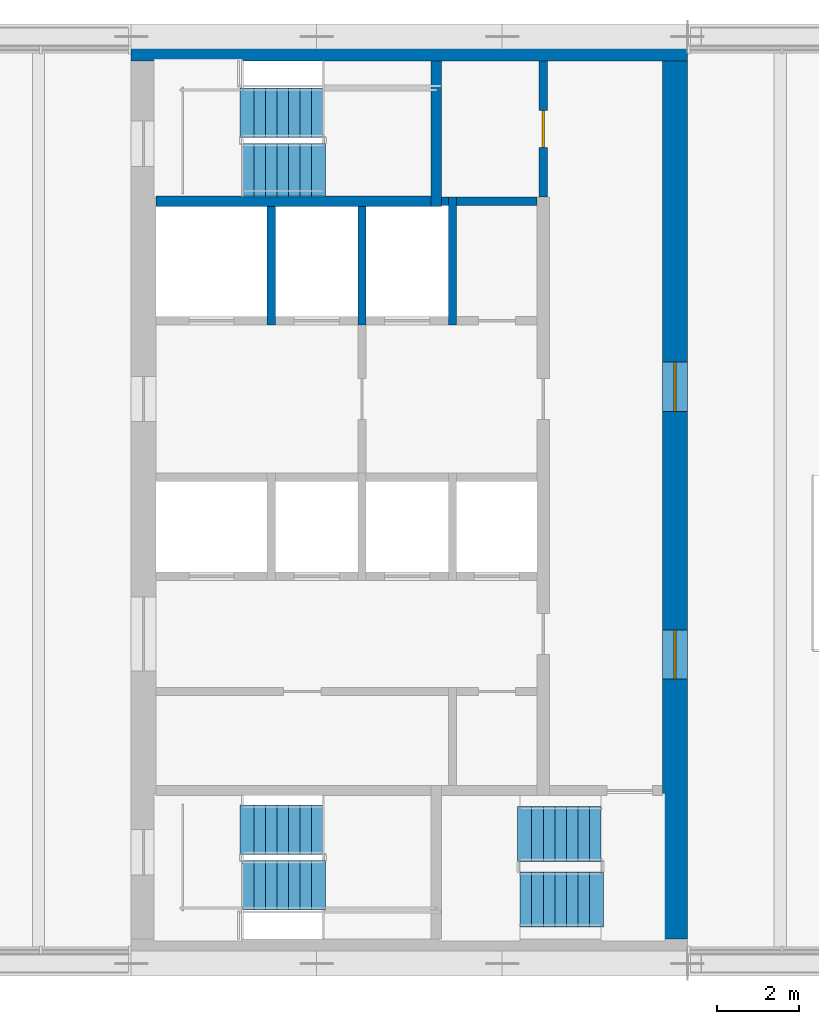
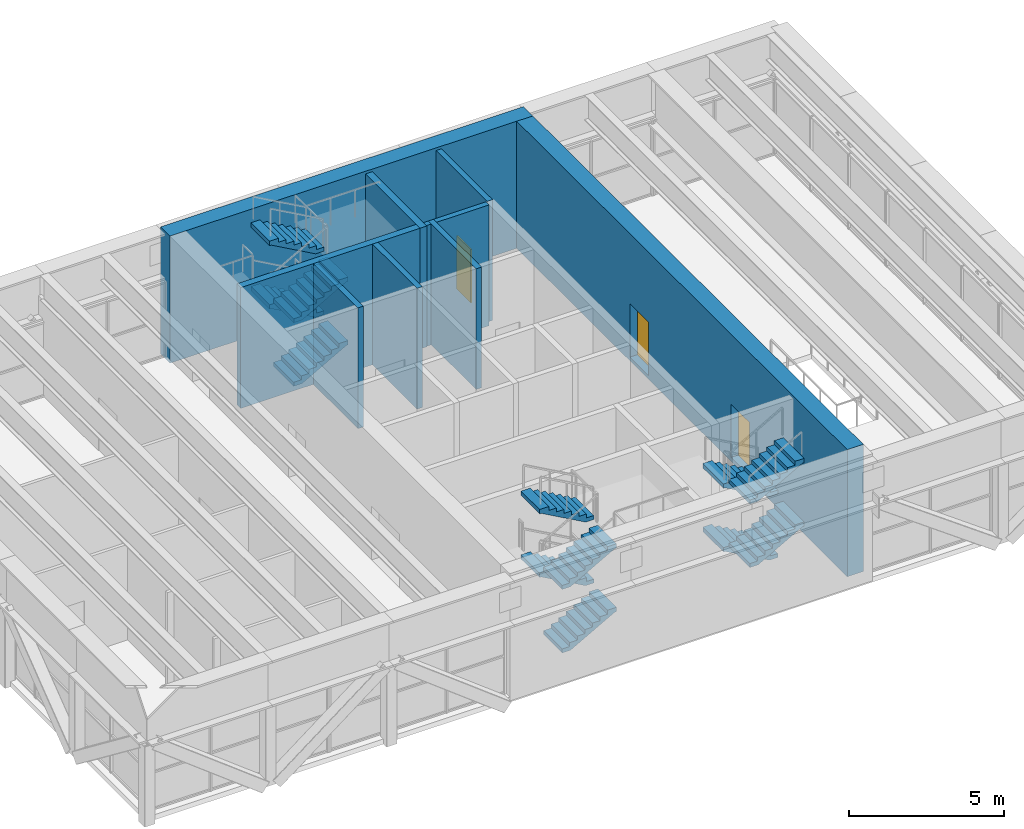
# One storey, part 10 of 12: 12 stair flights, 10 walls, 3 doors, 3 openings, 3 elements without a shape of their own.
"""IFC4 building model written with IfcOpenShell, lengths in metres."""

from ifc_helpers import new_model, si_unit, direction, frame, frame_2d, origin, place, context, subcontext, project, spatial, polyline, rectangle, outline, extrude, material, layer, layer_set, type_object, element, fill, aggregate, save


model = new_model("IFC4")

# Units and contexts
model_context = context("Model", 3, precision=1e-05, world=origin(), true_north=direction((0.0, 1.0)))
body_context = subcontext(model_context, "Body", "Model", "MODEL_VIEW")
ifc_project = project(units=[si_unit("LENGTHUNIT", "METRE"), si_unit("AREAUNIT", "SQUARE_METRE"), si_unit("VOLUMEUNIT", "CUBIC_METRE"), si_unit("PLANEANGLEUNIT", "RADIAN"), si_unit("MASSUNIT", "GRAM", prefix="KILO")], contexts=[model_context])

# Site, building, storey
site_placement = place(None, origin())
site = spatial("IfcSite", under=ifc_project, at=site_placement, CompositionType="ELEMENT")
building_placement = place(site_placement, origin())
building = spatial("IfcBuilding", under=site, at=building_placement, Name="Sennacour Bend Tower", CompositionType="ELEMENT")
storey_placement = place(building_placement, frame((0.0, 0.0, 350.5)))
storey = spatial("IfcBuildingStorey", under=building, at=storey_placement, Name="L80", CompositionType="ELEMENT", Elevation=350.5)

# Wall
ifc_material_1 = material(Name="Concrete C50/60", Category="concrete")
ifc_layer_1 = layer(ifc_material_1, 0.60009765625, Name="Concrete C50/60", Category="concrete")
ifc_layer_set_1 = layer_set([ifc_layer_1], Name="Concrete C50/60")
wall_type_1 = type_object("IfcWallType", Name="Core wall 600 C50/60", PredefinedType="SHEAR", material=ifc_layer_set_1)
wall_1_placement = place(storey_placement, frame((54.0, 22.199951171875, -0.14990234375), z_axis=(0.0, 0.0, 1.0), x_axis=(1.0, 0.0, 0.0)))
element("IfcWall", 1, at=wall_1_placement, inside=storey, type_object=wall_type_1, Name="Core A wall L80 N", PredefinedType="SHEAR", context=body_context, shape_type="SweptSolid", body=[
    extrude(rectangle(XDim=13.5, YDim=0.60009765625, at=frame_2d((6.75, 0.0))), origin(), (0.0, 0.0, 1.0), 5.0),
])

# Wall, openings, doors
wall_2_placement = place(storey_placement, frame((67.199951171875, 0.60009765625, -0.14990234375), z_axis=(0.0, 0.0, 1.0), x_axis=(0.0, 1.0, 0.0)))
wall_2 = element("IfcWall", 2, at=wall_2_placement, inside=storey, type_object=wall_type_1, Name="Core A wall L80 E", PredefinedType="SHEAR", context=body_context, shape_type="SweptSolid", body=[
    extrude(rectangle(XDim=21.2998046875, YDim=0.60009765625, at=frame_2d((10.64990234375, 0.0))), origin(), (0.0, 0.0, 1.0), 5.0),
])
opening_1_placement = place(wall_2_placement, frame((6.300048828125, 0.0, 0.14990234375)))
opening_1 = element("IfcOpeningElement", 3, at=opening_1_placement, cuts=wall_2, Name="Opening ED", PredefinedType="OPENING", context=body_context, shape_type="SweptSolid", body=[
    extrude(rectangle(XDim=1.199951171875, YDim=2.10009765625, at=frame_2d((0.60009765625, 1.050048828125))), frame((0.0, 0.31005859375, 0.0), z_axis=(0.0, -1.0, 0.0), x_axis=(1.0, 0.0, 0.0)), (0.0, 0.0, 1.0), 0.6201171875),
])
opening_2_placement = place(wall_2_placement, frame((12.800048828125, 0.0, 0.14990234375)))
opening_2 = element("IfcOpeningElement", 4, at=opening_2_placement, cuts=wall_2, Name="Opening ED", PredefinedType="OPENING", context=body_context, shape_type="SweptSolid", body=[
    extrude(rectangle(XDim=1.199951171875, YDim=2.10009765625, at=frame_2d((0.60009765625, 1.050048828125))), frame((0.0, 0.31005859375, 0.0), z_axis=(0.0, -1.0, 0.0), x_axis=(1.0, 0.0, 0.0)), (0.0, 0.0, 1.0), 0.6201171875),
])
ifc_material_2 = material(Name="Painted steel", Category="steel")
door_type_1 = type_object("IfcDoorType", Name="DR-EAST-1200", OperationType="NOTDEFINED", PredefinedType="DOOR", material=ifc_material_2)
door_1_placement = place(opening_1_placement, origin())
door_1 = element("IfcDoor", 5, at=door_1_placement, inside=storey, type_object=door_type_1, Name="Door", OperationType="SINGLE_SWING_LEFT", OverallHeight=2.10009765625, OverallWidth=1.199951171875, PredefinedType="DOOR", context=body_context, shape_type="SweptSolid", body=[
    extrude(rectangle(XDim=1.199951171875, YDim=2.10009765625, at=frame_2d((0.60009765625, 1.050048828125))), frame((0.0, 0.02490234375, 0.0), z_axis=(0.0, -1.0, 0.0), x_axis=(1.0, 0.0, 0.0)), (0.0, 0.0, 1.0), 0.050048828125),
])
fill(opening_1, door_1)
door_2_placement = place(opening_2_placement, origin())
door_2 = element("IfcDoor", 6, at=door_2_placement, inside=storey, type_object=door_type_1, Name="Door", OperationType="SINGLE_SWING_RIGHT", OverallHeight=2.10009765625, OverallWidth=1.199951171875, PredefinedType="DOOR", context=body_context, shape_type="SweptSolid", body=[
    extrude(rectangle(XDim=1.199951171875, YDim=2.10009765625, at=frame_2d((0.60009765625, 1.050048828125))), frame((0.0, 0.02490234375, 0.0), z_axis=(0.0, -1.0, 0.0), x_axis=(1.0, 0.0, 0.0)), (0.0, 0.0, 1.0), 0.050048828125),
])
fill(opening_2, door_2)

# Wall, opening, door
ifc_material_3 = material(Name="Fire-rated plasterboard partition on steel studs", Category="steel")
ifc_layer_2 = layer(ifc_material_3, 0.199951171875, Name="Fire-rated plasterboard partition on steel studs", Category="steel")
ifc_layer_set_2 = layer_set([ifc_layer_2], Name="Fire-rated plasterboard partition on steel studs")
wall_type_2 = type_object("IfcWallType", Name="Rated partition 200", PredefinedType="PARTITIONING", material=ifc_layer_set_2)
wall_3_placement = place(storey_placement, frame((64.0, 18.60009765625, 0.0), z_axis=(0.0, 0.0, 1.0), x_axis=(0.0, 1.0, 0.0)))
wall_3 = element("IfcWall", 7, at=wall_3_placement, inside=storey, type_object=wall_type_2, Name="P-L80-W015", PredefinedType="PARTITIONING", context=body_context, shape_type="SweptSolid", body=[
    extrude(rectangle(XDim=3.2998046875, YDim=0.199951171875, at=frame_2d((1.64990234375, 0.0))), origin(), (0.0, 0.0, 1.0), 4.75),
])
opening_3_placement = place(wall_3_placement, frame((1.199951171875, 0.0, 0.0)))
opening_3 = element("IfcOpeningElement", 8, at=opening_3_placement, cuts=wall_3, Name="Opening SV", PredefinedType="OPENING", context=body_context, shape_type="SweptSolid", body=[
    extrude(rectangle(XDim=0.89990234375, YDim=2.10009765625, at=frame_2d((0.449951171875, 1.050048828125))), frame((0.0, 0.10986328125, 0.0), z_axis=(0.0, -1.0, 0.0), x_axis=(1.0, 0.0, 0.0)), (0.0, 0.0, 1.0), 0.219970703125),
])
door_type_2 = type_object("IfcDoorType", Name="DR-SERVICE-900", OperationType="NOTDEFINED", PredefinedType="DOOR", material=ifc_material_2)
door_3_placement = place(opening_3_placement, origin())
door_3 = element("IfcDoor", 9, at=door_3_placement, inside=storey, type_object=door_type_2, Name="Door", OperationType="SINGLE_SWING_LEFT", OverallHeight=2.10009765625, OverallWidth=0.89990234375, PredefinedType="DOOR", context=body_context, shape_type="SweptSolid", body=[
    extrude(rectangle(XDim=0.89990234375, YDim=2.10009765625, at=frame_2d((0.449951171875, 1.050048828125))), frame((0.0, 0.02490234375, 0.0), z_axis=(0.0, -1.0, 0.0), x_axis=(1.0, 0.0, 0.0)), (0.0, 0.0, 1.0), 0.050048828125),
])
fill(opening_3, door_3)

# Walls
wall_4_placement = place(storey_placement, frame((61.89990234375, 18.5, 0.0), z_axis=(0.0, 0.0, 1.0), x_axis=(1.0, 0.0, 0.0)))
element("IfcWall", 10, at=wall_4_placement, inside=storey, type_object=wall_type_2, Name="P-L80-W031", PredefinedType="PARTITIONING", context=body_context, shape_type="SweptSolid", body=[
    extrude(rectangle(XDim=1.9501953125, YDim=0.199951171875, at=frame_2d((0.97509765625, 0.0))), origin(), (0.0, 0.0, 1.0), 4.75),
])
ifc_layer_3 = layer(ifc_material_1, 0.199951171875, Name="Concrete C50/60", Category="concrete")
ifc_layer_set_3 = layer_set([ifc_layer_3], Name="Concrete C50/60")
wall_type_3 = type_object("IfcWallType", Name="Shaft wall 200", PredefinedType="SOLIDWALL", material=ifc_layer_set_3)
for number, where, z_axis, x_axis, name in (
    (11, (57.39990234375, 15.5, 0.0), (0.0, 0.0, 1.0), (0.0, 1.0, 0.0), "P-L80-W005"),
    (12, (59.60009765625, 15.5, 0.0), (0.0, 0.0, 1.0), (0.0, 1.0, 0.0), "P-L80-W008"),
):
    element("IfcWall", number, at=place(storey_placement, frame(where, z_axis=z_axis, x_axis=x_axis)), inside=storey, type_object=wall_type_3, Name=name, PredefinedType="SOLIDWALL", context=body_context, shape_type="SweptSolid", body=[
        extrude(rectangle(XDim=2.875, YDim=0.199951171875, at=frame_2d((1.4375, 0.0))), origin(), (0.0, 0.0, 1.0), 4.75),
    ])
wall_5_placement = place(storey_placement, frame((61.800048828125, 15.5, 0.0), z_axis=(0.0, 0.0, 1.0), x_axis=(0.0, 1.0, 0.0)))
element("IfcWall", 13, at=wall_5_placement, inside=storey, type_object=wall_type_3, Name="P-L80-W013", PredefinedType="SOLIDWALL", context=body_context, shape_type="SweptSolid", body=[
    extrude(rectangle(XDim=3.10009765625, YDim=0.199951171875, at=frame_2d((1.550048828125, 0.0))), origin(), (0.0, 0.0, 1.0), 4.75),
])
wall_6_placement = place(storey_placement, frame((61.52490234375, 18.5, 0.0), z_axis=(0.0, 0.0, 1.0), x_axis=(1.0, 0.0, 0.0)))
element("IfcWall", 14, at=wall_6_placement, inside=storey, type_object=wall_type_3, Name="P-L80-W030", PredefinedType="SOLIDWALL", context=body_context, shape_type="SweptSolid", body=[
    extrude(rectangle(XDim=0.175048828125, YDim=0.199951171875, at=frame_2d((0.08740234375, 0.0))), origin(), (0.0, 0.0, 1.0), 4.75),
])
ifc_material_4 = material(Name="Concrete C60/75", Category="concrete")
ifc_layer_4 = layer(ifc_material_4, 0.25, Name="Concrete C60/75", Category="concrete")
ifc_layer_set_4 = layer_set([ifc_layer_4], Name="Concrete C60/75")
wall_type_4 = type_object("IfcWallType", Name="Stair wall 250", PredefinedType="SHEAR", material=ifc_layer_set_4)
wall_7_placement = place(storey_placement, frame((61.39990234375, 18.375, 0.0), z_axis=(0.0, 0.0, 1.0), x_axis=(0.0, 1.0, 0.0)))
element("IfcWall", 15, at=wall_7_placement, inside=storey, type_object=wall_type_4, Name="P-L80-W010", PredefinedType="SHEAR", context=body_context, shape_type="SweptSolid", body=[
    extrude(rectangle(XDim=3.52490234375, YDim=0.25, at=frame_2d((1.762451171875, 0.0))), origin(), (0.0, 0.0, 1.0), 4.75),
])
wall_8_placement = place(storey_placement, frame((54.60009765625, 18.5, 0.0), z_axis=(0.0, 0.0, 1.0), x_axis=(1.0, 0.0, 0.0)))
element("IfcWall", 16, at=wall_8_placement, inside=storey, type_object=wall_type_4, Name="P-L80-W029", PredefinedType="SHEAR", context=body_context, shape_type="SweptSolid", body=[
    extrude(rectangle(XDim=6.6748046875, YDim=0.25, at=frame_2d((3.33740234375, 0.0))), origin(), (0.0, 0.0, 1.0), 4.75),
])

# Stair, stair flights
ifc_material_5 = material(Name="Concrete C40/50", Category="concrete")
stair_type = type_object("IfcStairType", Name="ST-DOGLEG", PredefinedType="HALF_TURN_STAIR", material=ifc_material_5)
stair_1_placement = place(storey_placement, origin())
stair_1 = element("IfcStair", 17, at=stair_1_placement, inside=storey, type_object=stair_type, Name="L80 Exit stair A1", PredefinedType="HALF_TURN_STAIR")
stair_flight_type = type_object("IfcStairFlightType", Name="SFL-RC", PredefinedType="STRAIGHT", material=ifc_material_5)
stair_flight_1_placement = place(storey_placement, frame((56.699951171875, 1.89990234375, 0.0), z_axis=(0.0, 0.0, 1.0), x_axis=(1.0, 0.0, 0.0)))
stair_flight_1 = element("IfcStairFlight", 18, at=stair_flight_1_placement, type_object=stair_flight_type, Name="SA1 flight 1", NumberOfRisers=8, NumberOfTreads=7, PredefinedType="STRAIGHT", RiserHeight=0.15625, TreadLength=0.28, context=body_context, shape_type="SweptSolid", body=[
    extrude(outline(polyline([(0.0, 0.0), (0.0, 0.15625), (0.280029296875, 0.15625), (0.280029296875, 0.3125), (0.56005859375, 0.3125), (0.56005859375, 0.46875), (0.840087890625, 0.46875), (0.840087890625, 0.625), (1.1201171875, 0.625), (1.1201171875, 0.78125), (1.39990234375, 0.78125), (1.39990234375, 0.9375), (1.679931640625, 0.9375), (1.679931640625, 1.09375), (1.9599609375, 1.09375), (2.02001953125, 1.09375), (2.02001953125, 0.922119140625), (1.9599609375, 0.922119140625), (0.3076171875, 0.0), (0.0, 0.0)])), frame((0.0, 0.60009765625, 0.0), z_axis=(0.0, -1.0, 0.0), x_axis=(1.0, 0.0, 0.0)), (0.0, 0.0, 1.0), 1.199951171875),
])
stair_flight_2_placement = place(storey_placement, frame((58.659912109375, 3.25, 1.25), z_axis=(0.0, 0.0, 1.0), x_axis=(-1.0, 0.0, 0.0)))
stair_flight_2 = element("IfcStairFlight", 19, at=stair_flight_2_placement, type_object=stair_flight_type, Name="SA1 flight 2", NumberOfRisers=8, NumberOfTreads=7, PredefinedType="STRAIGHT", RiserHeight=0.15625, TreadLength=0.28, context=body_context, shape_type="SweptSolid", body=[
    extrude(outline(polyline([(0.0, 0.0), (0.0, 0.15625), (0.280029296875, 0.15625), (0.280029296875, 0.3125), (0.56005859375, 0.3125), (0.56005859375, 0.46875), (0.840087890625, 0.46875), (0.840087890625, 0.625), (1.1201171875, 0.625), (1.1201171875, 0.78125), (1.39990234375, 0.78125), (1.39990234375, 0.9375), (1.679931640625, 0.9375), (1.679931640625, 1.09375), (1.9599609375, 1.09375), (2.02001953125, 1.09375), (2.02001953125, 0.922119140625), (1.9599609375, 0.922119140625), (0.3076171875, 0.0), (0.0, 0.0)])), frame((0.0, 0.60009765625, 0.0), z_axis=(0.0, -1.0, 0.0), x_axis=(1.0, 0.0, 0.0)), (0.0, 0.0, 1.0), 1.199951171875),
])
stair_flight_3_placement = place(storey_placement, frame((56.699951171875, 1.89990234375, 2.5), z_axis=(0.0, 0.0, 1.0), x_axis=(1.0, 0.0, 0.0)))
stair_flight_3 = element("IfcStairFlight", 20, at=stair_flight_3_placement, type_object=stair_flight_type, Name="SA1 flight 3", NumberOfRisers=8, NumberOfTreads=7, PredefinedType="STRAIGHT", RiserHeight=0.15625, TreadLength=0.28, context=body_context, shape_type="SweptSolid", body=[
    extrude(outline(polyline([(0.0, 0.0), (0.0, 0.15625), (0.280029296875, 0.15625), (0.280029296875, 0.3125), (0.56005859375, 0.3125), (0.56005859375, 0.46875), (0.840087890625, 0.46875), (0.840087890625, 0.625), (1.1201171875, 0.625), (1.1201171875, 0.78125), (1.39990234375, 0.78125), (1.39990234375, 0.9375), (1.679931640625, 0.9375), (1.679931640625, 1.09375), (1.9599609375, 1.09375), (2.02001953125, 1.09375), (2.02001953125, 0.922119140625), (1.9599609375, 0.922119140625), (0.3076171875, 0.0), (0.0, 0.0)])), frame((0.0, 0.60009765625, 0.0), z_axis=(0.0, -1.0, 0.0), x_axis=(1.0, 0.0, 0.0)), (0.0, 0.0, 1.0), 1.199951171875),
])
stair_flight_4_placement = place(storey_placement, frame((58.659912109375, 3.25, 3.75), z_axis=(0.0, 0.0, 1.0), x_axis=(-1.0, 0.0, 0.0)))
stair_flight_4 = element("IfcStairFlight", 21, at=stair_flight_4_placement, type_object=stair_flight_type, Name="SA1 flight 4", NumberOfRisers=8, NumberOfTreads=7, PredefinedType="STRAIGHT", RiserHeight=0.15625, TreadLength=0.28, context=body_context, shape_type="SweptSolid", body=[
    extrude(outline(polyline([(0.0, 0.0), (0.0, 0.15625), (0.280029296875, 0.15625), (0.280029296875, 0.3125), (0.56005859375, 0.3125), (0.56005859375, 0.46875), (0.840087890625, 0.46875), (0.840087890625, 0.625), (1.1201171875, 0.625), (1.1201171875, 0.78125), (1.39990234375, 0.78125), (1.39990234375, 0.9375), (1.679931640625, 0.9375), (1.679931640625, 1.09375), (1.9599609375, 1.09375), (2.02001953125, 1.09375), (2.02001953125, 0.922119140625), (1.9599609375, 0.922119140625), (0.3076171875, 0.0), (0.0, 0.0)])), frame((0.0, 0.60009765625, 0.0), z_axis=(0.0, -1.0, 0.0), x_axis=(1.0, 0.0, 0.0)), (0.0, 0.0, 1.0), 1.199951171875),
])
aggregate(stair_1, [stair_flight_1, stair_flight_2, stair_flight_3, stair_flight_4])

stair_2_placement = place(storey_placement, origin())
stair_2 = element("IfcStair", 22, at=stair_2_placement, inside=storey, type_object=stair_type, Name="L80 Exit stair A2", PredefinedType="HALF_TURN_STAIR")
stair_flight_5_placement = place(storey_placement, frame((56.699951171875, 19.24755859375, 0.0), z_axis=(0.0, 0.0, 1.0), x_axis=(1.0, 0.0, 0.0)))
stair_flight_5 = element("IfcStairFlight", 23, at=stair_flight_5_placement, type_object=stair_flight_type, Name="SA2 flight 1", NumberOfRisers=8, NumberOfTreads=7, PredefinedType="STRAIGHT", RiserHeight=0.15625, TreadLength=0.28, context=body_context, shape_type="SweptSolid", body=[
    extrude(outline(polyline([(0.0, 0.0), (0.0, 0.15625), (0.280029296875, 0.15625), (0.280029296875, 0.3125), (0.56005859375, 0.3125), (0.56005859375, 0.46875), (0.840087890625, 0.46875), (0.840087890625, 0.625), (1.1201171875, 0.625), (1.1201171875, 0.78125), (1.39990234375, 0.78125), (1.39990234375, 0.9375), (1.679931640625, 0.9375), (1.679931640625, 1.09375), (1.9599609375, 1.09375), (2.02001953125, 1.09375), (2.02001953125, 0.922119140625), (1.9599609375, 0.922119140625), (0.3076171875, 0.0), (0.0, 0.0)])), frame((0.0, 0.65234375, 0.0), z_axis=(0.0, -1.0, 0.0), x_axis=(1.0, 0.0, 0.0)), (0.0, 0.0, 1.0), 1.304931640625),
])
stair_flight_6_placement = place(storey_placement, frame((58.659912109375, 20.64990234375, 1.25), z_axis=(0.0, 0.0, 1.0), x_axis=(-1.0, 0.0, 0.0)))
stair_flight_6 = element("IfcStairFlight", 24, at=stair_flight_6_placement, type_object=stair_flight_type, Name="SA2 flight 2", NumberOfRisers=8, NumberOfTreads=7, PredefinedType="STRAIGHT", RiserHeight=0.15625, TreadLength=0.28, context=body_context, shape_type="SweptSolid", body=[
    extrude(outline(polyline([(0.0, 0.0), (0.0, 0.15625), (0.280029296875, 0.15625), (0.280029296875, 0.3125), (0.56005859375, 0.3125), (0.56005859375, 0.46875), (0.840087890625, 0.46875), (0.840087890625, 0.625), (1.1201171875, 0.625), (1.1201171875, 0.78125), (1.39990234375, 0.78125), (1.39990234375, 0.9375), (1.679931640625, 0.9375), (1.679931640625, 1.09375), (1.9599609375, 1.09375), (2.02001953125, 1.09375), (2.02001953125, 0.922119140625), (1.9599609375, 0.922119140625), (0.3076171875, 0.0), (0.0, 0.0)])), frame((0.0, 0.60009765625, 0.0), z_axis=(0.0, -1.0, 0.0), x_axis=(1.0, 0.0, 0.0)), (0.0, 0.0, 1.0), 1.199951171875),
])
stair_flight_7_placement = place(storey_placement, frame((56.699951171875, 19.24755859375, 2.5), z_axis=(0.0, 0.0, 1.0), x_axis=(1.0, 0.0, 0.0)))
stair_flight_7 = element("IfcStairFlight", 25, at=stair_flight_7_placement, type_object=stair_flight_type, Name="SA2 flight 3", NumberOfRisers=8, NumberOfTreads=7, PredefinedType="STRAIGHT", RiserHeight=0.15625, TreadLength=0.28, context=body_context, shape_type="SweptSolid", body=[
    extrude(outline(polyline([(0.0, 0.0), (0.0, 0.15625), (0.280029296875, 0.15625), (0.280029296875, 0.3125), (0.56005859375, 0.3125), (0.56005859375, 0.46875), (0.840087890625, 0.46875), (0.840087890625, 0.625), (1.1201171875, 0.625), (1.1201171875, 0.78125), (1.39990234375, 0.78125), (1.39990234375, 0.9375), (1.679931640625, 0.9375), (1.679931640625, 1.09375), (1.9599609375, 1.09375), (2.02001953125, 1.09375), (2.02001953125, 0.922119140625), (1.9599609375, 0.922119140625), (0.3076171875, 0.0), (0.0, 0.0)])), frame((0.0, 0.65234375, 0.0), z_axis=(0.0, -1.0, 0.0), x_axis=(1.0, 0.0, 0.0)), (0.0, 0.0, 1.0), 1.304931640625),
])
stair_flight_8_placement = place(storey_placement, frame((58.659912109375, 20.64990234375, 3.75), z_axis=(0.0, 0.0, 1.0), x_axis=(-1.0, 0.0, 0.0)))
stair_flight_8 = element("IfcStairFlight", 26, at=stair_flight_8_placement, type_object=stair_flight_type, Name="SA2 flight 4", NumberOfRisers=8, NumberOfTreads=7, PredefinedType="STRAIGHT", RiserHeight=0.15625, TreadLength=0.28, context=body_context, shape_type="SweptSolid", body=[
    extrude(outline(polyline([(0.0, 0.0), (0.0, 0.15625), (0.280029296875, 0.15625), (0.280029296875, 0.3125), (0.56005859375, 0.3125), (0.56005859375, 0.46875), (0.840087890625, 0.46875), (0.840087890625, 0.625), (1.1201171875, 0.625), (1.1201171875, 0.78125), (1.39990234375, 0.78125), (1.39990234375, 0.9375), (1.679931640625, 0.9375), (1.679931640625, 1.09375), (1.9599609375, 1.09375), (2.02001953125, 1.09375), (2.02001953125, 0.922119140625), (1.9599609375, 0.922119140625), (0.3076171875, 0.0), (0.0, 0.0)])), frame((0.0, 0.60009765625, 0.0), z_axis=(0.0, -1.0, 0.0), x_axis=(1.0, 0.0, 0.0)), (0.0, 0.0, 1.0), 1.199951171875),
])
aggregate(stair_2, [stair_flight_5, stair_flight_6, stair_flight_7, stair_flight_8])

stair_3_placement = place(storey_placement, origin())
stair_3 = element("IfcStair", 27, at=stair_3_placement, inside=storey, type_object=stair_type, Name="L80 Exit stair A3", PredefinedType="HALF_TURN_STAIR")
stair_flight_9_placement = place(storey_placement, frame((65.39990234375, 3.14501953125, 0.0), z_axis=(0.0, 0.0, 1.0), x_axis=(-1.0, 0.0, 0.0)))
stair_flight_9 = element("IfcStairFlight", 28, at=stair_flight_9_placement, type_object=stair_flight_type, Name="SA3 flight 1", NumberOfRisers=8, NumberOfTreads=7, PredefinedType="STRAIGHT", RiserHeight=0.15625, TreadLength=0.28, context=body_context, shape_type="SweptSolid", body=[
    extrude(outline(polyline([(0.0, 0.0), (0.0, 0.15625), (0.280029296875, 0.15625), (0.280029296875, 0.3125), (0.56005859375, 0.3125), (0.56005859375, 0.46875), (0.840087890625, 0.46875), (0.840087890625, 0.625), (1.1201171875, 0.625), (1.1201171875, 0.78125), (1.39990234375, 0.78125), (1.39990234375, 0.9375), (1.679931640625, 0.9375), (1.679931640625, 1.09375), (1.9599609375, 1.09375), (2.02001953125, 1.09375), (2.02001953125, 0.922119140625), (1.9599609375, 0.922119140625), (0.3076171875, 0.0), (0.0, 0.0)])), frame((0.0, 0.669921875, 0.0), z_axis=(0.0, -1.0, 0.0), x_axis=(1.0, 0.0, 0.0)), (0.0, 0.0, 1.0), 1.340087890625),
])
stair_flight_10_placement = place(storey_placement, frame((63.43994140625, 1.554931640625, 1.25), z_axis=(0.0, 0.0, 1.0), x_axis=(1.0, 0.0, 0.0)))
stair_flight_10 = element("IfcStairFlight", 29, at=stair_flight_10_placement, type_object=stair_flight_type, Name="SA3 flight 2", NumberOfRisers=8, NumberOfTreads=7, PredefinedType="STRAIGHT", RiserHeight=0.15625, TreadLength=0.28, context=body_context, shape_type="SweptSolid", body=[
    extrude(outline(polyline([(0.0, 0.0), (0.0, 0.15625), (0.280029296875, 0.15625), (0.280029296875, 0.3125), (0.56005859375, 0.3125), (0.56005859375, 0.46875), (0.840087890625, 0.46875), (0.840087890625, 0.625), (1.1201171875, 0.625), (1.1201171875, 0.78125), (1.39990234375, 0.78125), (1.39990234375, 0.9375), (1.679931640625, 0.9375), (1.679931640625, 1.09375), (1.9599609375, 1.09375), (2.02001953125, 1.09375), (2.02001953125, 0.922119140625), (1.9599609375, 0.922119140625), (0.3076171875, 0.0), (0.0, 0.0)])), frame((0.0, 0.669921875, 0.0), z_axis=(0.0, -1.0, 0.0), x_axis=(1.0, 0.0, 0.0)), (0.0, 0.0, 1.0), 1.340087890625),
])
stair_flight_11_placement = place(storey_placement, frame((65.39990234375, 3.14501953125, 2.5), z_axis=(0.0, 0.0, 1.0), x_axis=(-1.0, 0.0, 0.0)))
stair_flight_11 = element("IfcStairFlight", 30, at=stair_flight_11_placement, type_object=stair_flight_type, Name="SA3 flight 3", NumberOfRisers=8, NumberOfTreads=7, PredefinedType="STRAIGHT", RiserHeight=0.15625, TreadLength=0.28, context=body_context, shape_type="SweptSolid", body=[
    extrude(outline(polyline([(0.0, 0.0), (0.0, 0.15625), (0.280029296875, 0.15625), (0.280029296875, 0.3125), (0.56005859375, 0.3125), (0.56005859375, 0.46875), (0.840087890625, 0.46875), (0.840087890625, 0.625), (1.1201171875, 0.625), (1.1201171875, 0.78125), (1.39990234375, 0.78125), (1.39990234375, 0.9375), (1.679931640625, 0.9375), (1.679931640625, 1.09375), (1.9599609375, 1.09375), (2.02001953125, 1.09375), (2.02001953125, 0.922119140625), (1.9599609375, 0.922119140625), (0.3076171875, 0.0), (0.0, 0.0)])), frame((0.0, 0.669921875, 0.0), z_axis=(0.0, -1.0, 0.0), x_axis=(1.0, 0.0, 0.0)), (0.0, 0.0, 1.0), 1.340087890625),
])
stair_flight_12_placement = place(storey_placement, frame((63.43994140625, 1.554931640625, 3.75), z_axis=(0.0, 0.0, 1.0), x_axis=(1.0, 0.0, 0.0)))
stair_flight_12 = element("IfcStairFlight", 31, at=stair_flight_12_placement, type_object=stair_flight_type, Name="SA3 flight 4", NumberOfRisers=8, NumberOfTreads=7, PredefinedType="STRAIGHT", RiserHeight=0.15625, TreadLength=0.28, context=body_context, shape_type="SweptSolid", body=[
    extrude(outline(polyline([(0.0, 0.0), (0.0, 0.15625), (0.280029296875, 0.15625), (0.280029296875, 0.3125), (0.56005859375, 0.3125), (0.56005859375, 0.46875), (0.840087890625, 0.46875), (0.840087890625, 0.625), (1.1201171875, 0.625), (1.1201171875, 0.78125), (1.39990234375, 0.78125), (1.39990234375, 0.9375), (1.679931640625, 0.9375), (1.679931640625, 1.09375), (1.9599609375, 1.09375), (2.02001953125, 1.09375), (2.02001953125, 0.922119140625), (1.9599609375, 0.922119140625), (0.3076171875, 0.0), (0.0, 0.0)])), frame((0.0, 0.669921875, 0.0), z_axis=(0.0, -1.0, 0.0), x_axis=(1.0, 0.0, 0.0)), (0.0, 0.0, 1.0), 1.340087890625),
])
aggregate(stair_3, [stair_flight_9, stair_flight_10, stair_flight_11, stair_flight_12])

save(model, "model.ifc")
